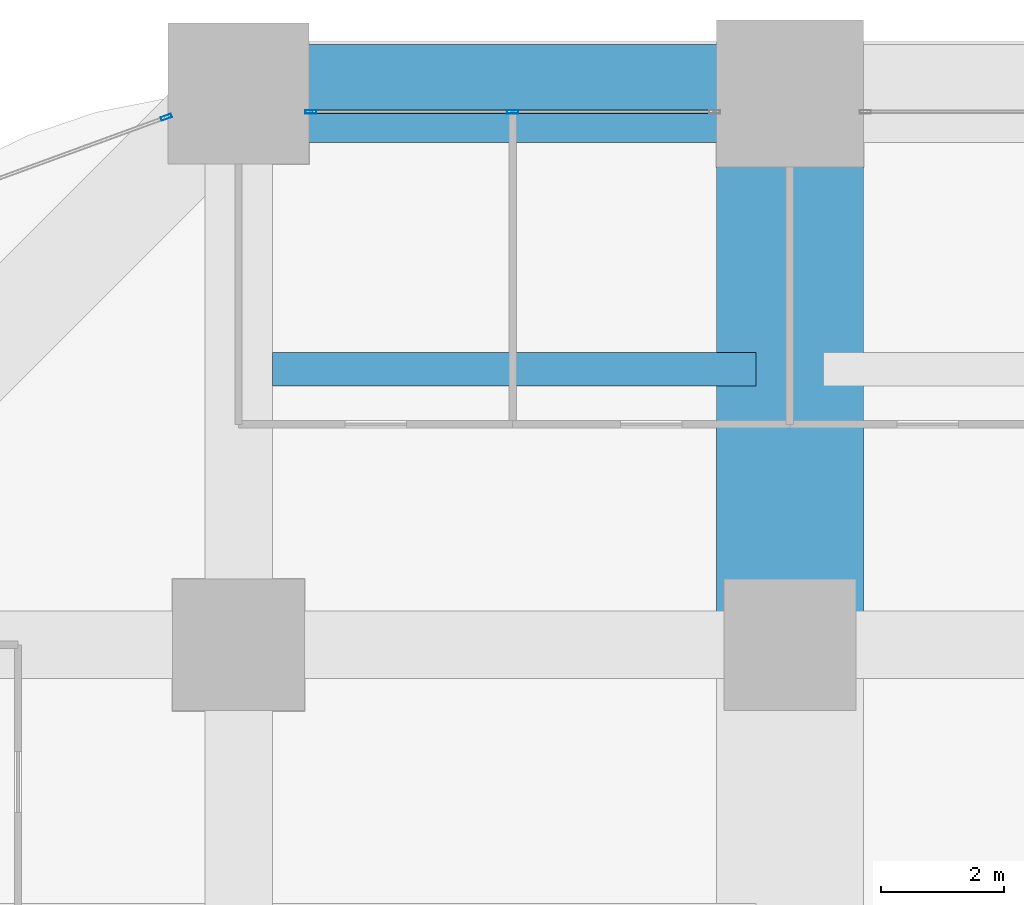
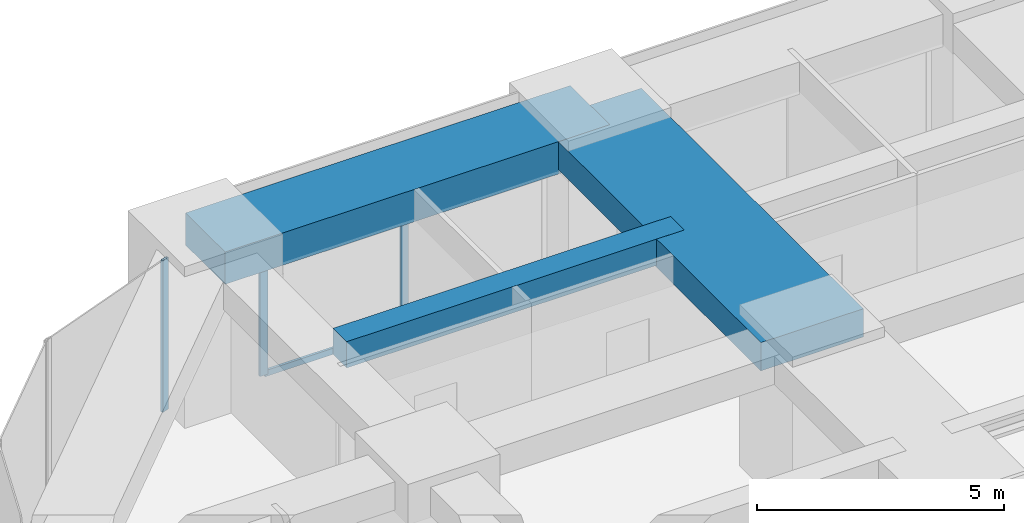
# One storey, part 28 of 45: 4 members, 3 beams, 2 elements without a shape of their own.
"""IFC4 building model written with IfcOpenShell, lengths in metres."""

from ifc_helpers import new_model, si_unit, direction, frame, origin, origin_2d, place, context, subcontext, project, spatial, rectangle, hollow_rectangle, extrude, material, material_profile, profile_set, type_object, element, aggregate, save


model = new_model("IFC4")

# Units and contexts
model_context = context("Model", 3, precision=1e-05, world=origin(), true_north=direction((0.0, 1.0)))
body_context = subcontext(model_context, "Body", "Model", "MODEL_VIEW")
ifc_project = project(units=[si_unit("LENGTHUNIT", "METRE"), si_unit("AREAUNIT", "SQUARE_METRE"), si_unit("VOLUMEUNIT", "CUBIC_METRE"), si_unit("PLANEANGLEUNIT", "RADIAN"), si_unit("MASSUNIT", "GRAM", prefix="KILO")], contexts=[model_context])

# Site, building, storey
site_placement = place(None, origin())
site = spatial("IfcSite", under=ifc_project, at=site_placement, CompositionType="ELEMENT")
building_placement = place(site_placement, origin())
building = spatial("IfcBuilding", under=site, at=building_placement, Name="Zorevar Civic Tower", CompositionType="ELEMENT")
storey_placement = place(building_placement, frame((0.0, 0.0, 71.800048828125)))
storey = spatial("IfcBuildingStorey", under=building, at=storey_placement, Name="L17", CompositionType="ELEMENT", Elevation=71.800048828125)

# Beams
ifc_material_1 = material(Name="Concrete C50/60", Category="concrete")
ifc_material_profile_1 = material_profile(ifc_material_1, rectangle(XDim=2.39990234375, YDim=0.699951171875, at=origin_2d()), Name="RC 2400x700")
ifc_profile_set_1 = profile_set([ifc_material_profile_1], Name="Concrete C50/60")
beam_type_1 = type_object("IfcBeamType", Name="Beam RC 2400x700", PredefinedType="BEAM", material=ifc_profile_set_1)
beam_1_placement = place(storey_placement, frame((18.0, 45.0, 3.39990234375), z_axis=(0.0, 1.0, 0.0), x_axis=(-1.0, 0.0, 0.0)))
element("IfcBeam", 1, at=beam_1_placement, inside=storey, type_object=beam_type_1, Name="Girder L18", PredefinedType="BEAM", context=body_context, shape_type="SweptSolid", body=[
    extrude(rectangle(XDim=2.39990234375, YDim=0.699951171875, at=origin_2d()), origin(), (0.0, 0.0, 1.0), 9.0),
])
ifc_material_2 = material(Name="Concrete C50/60", Category="concrete")
ifc_material_profile_2 = material_profile(ifc_material_2, rectangle(XDim=0.550048828125, YDim=0.64990234375, at=origin_2d()), Name="RC 550x650")
ifc_profile_set_2 = profile_set([ifc_material_profile_2], Name="Concrete C50/60")
beam_type_2 = type_object("IfcBeamType", Name="Beam RC 550x650", PredefinedType="BEAM", material=ifc_profile_set_2)
beam_2_placement = place(storey_placement, frame((9.550048828125, 49.5, 3.425048828125), z_axis=(1.0, 0.0, 0.0), x_axis=(0.0, 1.0, 0.0)))
element("IfcBeam", 2, at=beam_2_placement, inside=storey, type_object=beam_type_2, Name="Secondary beam L18", PredefinedType="BEAM", context=body_context, shape_type="SweptSolid", body=[
    extrude(rectangle(XDim=0.550048828125, YDim=0.64990234375, at=origin_2d()), origin(), (0.0, 0.0, 1.0), 7.89990234375),
])

# Curtain wall, members
ifc_material_3 = material(Name="Dark grey solar-control glass in black aluminium frame", Category="aluminium")
curtain_wall_type = type_object("IfcCurtainWallType", Name="Curtain wall CW2 low zone", PredefinedType="NOTDEFINED", material=ifc_material_3)
curtain_wall_1_placement = place(storey_placement, origin())
curtain_wall_1 = element("IfcCurtainWall", 3, at=curtain_wall_1_placement, inside=storey, type_object=curtain_wall_type, Name="CW2 L17", PredefinedType="NOTDEFINED")
ifc_material_4 = material(Name="Aluminium, black anodised", Category="aluminium")
ifc_material_profile_3 = material_profile(ifc_material_4, hollow_rectangle(XDim=0.06005859375, YDim=0.179931640625, WallThickness=0.00390625, at=origin_2d()), Name="AL 180x60x4")
ifc_profile_set_3 = profile_set([ifc_material_profile_3], Name="Aluminium, black anodised")
member_type_1 = type_object("IfcMemberType", Name="CW2 mullion AL 180x60x4", PredefinedType="MULLION", material=ifc_profile_set_3)
member_1_placement = place(storey_placement, frame((10.179931640625, 53.699951171875, 0.0), z_axis=(0.0, 0.0, 1.0), x_axis=(0.0, 1.0, 0.0)))
member_1 = element("IfcMember", 4, at=member_1_placement, type_object=member_type_1, Name="CW2 mullion 1", PredefinedType="MULLION", context=body_context, shape_type="SweptSolid", body=[
    extrude(hollow_rectangle(XDim=0.06005859375, YDim=0.179931640625, WallThickness=0.00390625, at=origin_2d()), origin(), (0.0, 0.0, 1.0), 2.949951171875),
])
member_2_placement = place(storey_placement, frame((13.47509765625, 53.699951171875, 0.06005859375), z_axis=(0.0, 0.0, 1.0), x_axis=(0.0, 1.0, 0.0)))
member_2 = element("IfcMember", 5, at=member_2_placement, type_object=member_type_1, Name="CW2 mullion 2", PredefinedType="MULLION", context=body_context, shape_type="SweptSolid", body=[
    extrude(hollow_rectangle(XDim=0.06005859375, YDim=0.179931640625, WallThickness=0.00390625, at=origin_2d()), origin(), (0.0, 0.0, 1.0), 2.889892578125),
])

# Curtain wall, member
curtain_wall_2_placement = place(storey_placement, origin())
curtain_wall_2 = element("IfcCurtainWall", 6, at=curtain_wall_2_placement, inside=storey, type_object=curtain_wall_type, Name="CW2 L17", PredefinedType="NOTDEFINED")
member_3_placement = place(storey_placement, frame((7.82177734375, 53.61328125, 0.0), z_axis=(0.0, 0.0, 1.0), x_axis=(0.343060400701, -0.939313345732, 0.0)))
member_3 = element("IfcMember", 7, at=member_3_placement, type_object=member_type_1, Name="CW2 mullion 1", PredefinedType="MULLION", context=body_context, shape_type="SweptSolid", body=[
    extrude(hollow_rectangle(XDim=0.06005859375, YDim=0.179931640625, WallThickness=0.00390625, at=origin_2d()), origin(), (0.0, 0.0, 1.0), 3.75),
])
aggregate(curtain_wall_2, [member_3])

# Member
ifc_material_5 = material(Name="Aluminium, black anodised", Category="aluminium")
ifc_material_profile_4 = material_profile(ifc_material_5, hollow_rectangle(XDim=0.06005859375, YDim=0.14990234375, WallThickness=0.00390625, at=origin_2d()), Name="AL 150x60x4")
ifc_profile_set_4 = profile_set([ifc_material_profile_4], Name="Aluminium, black anodised")
member_type_2 = type_object("IfcMemberType", Name="CW2 transom AL 150x60x4", PredefinedType="USERDEFINED", material=ifc_profile_set_4)
member_4_placement = place(storey_placement, frame((10.2099609375, 53.699951171875, 0.030029296875), z_axis=(1.0, 0.0, 0.0), x_axis=(0.0, 1.0, 0.0)))
member_4 = element("IfcMember", 8, at=member_4_placement, type_object=member_type_2, Name="CW2 sill transom", ObjectType="TRANSOM", PredefinedType="USERDEFINED", context=body_context, shape_type="SweptSolid", body=[
    extrude(hollow_rectangle(XDim=0.06005859375, YDim=0.14990234375, WallThickness=0.00390625, at=origin_2d()), origin(), (0.0, 0.0, 1.0), 6.530029296875),
])

aggregate(curtain_wall_1, [member_1, member_2, member_4])

# Beam
ifc_material_6 = material(Name="Concrete C50/60", Category="concrete")
ifc_material_profile_5 = material_profile(ifc_material_6, rectangle(XDim=1.60009765625, YDim=0.800048828125, at=origin_2d()), Name="RC 1600x800")
ifc_profile_set_5 = profile_set([ifc_material_profile_5], Name="Concrete C50/60")
beam_type_3 = type_object("IfcBeamType", Name="Edge beam RC 1600x800", PredefinedType="SPANDREL", material=ifc_profile_set_5)
beam_3_placement = place(storey_placement, frame((9.0, 54.0, 3.349853515625), z_axis=(1.0, 0.0, 0.0), x_axis=(0.0, 1.0, 0.0)))
element("IfcBeam", 9, at=beam_3_placement, inside=storey, type_object=beam_type_3, Name="Edge beam L18", PredefinedType="SPANDREL", context=body_context, shape_type="SweptSolid", body=[
    extrude(rectangle(XDim=1.60009765625, YDim=0.800048828125, at=origin_2d()), origin(), (0.0, 0.0, 1.0), 9.0),
])

save(model, "model.ifc")
